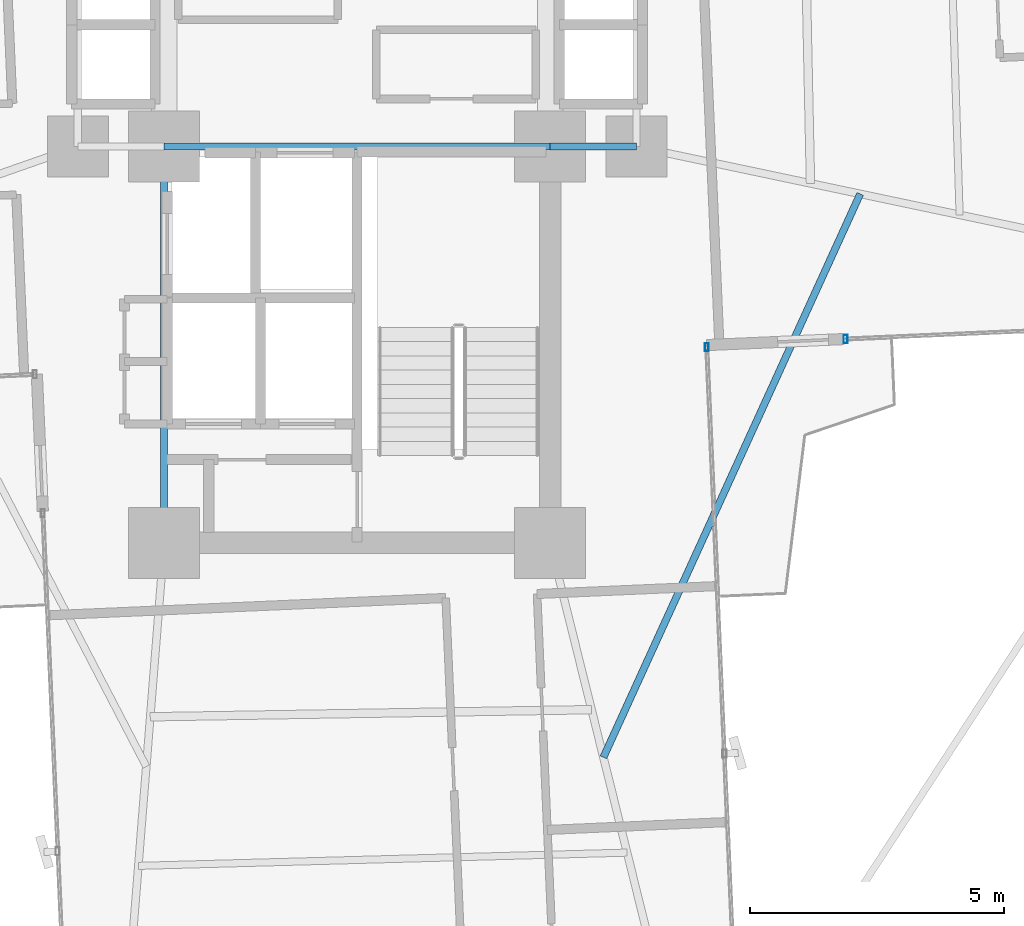
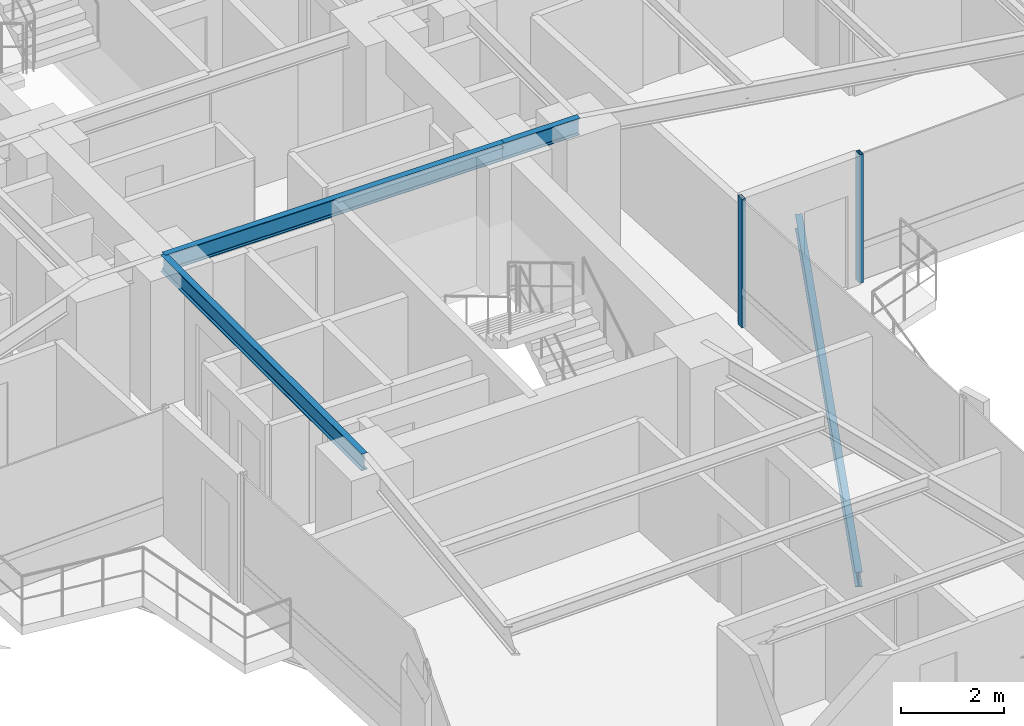
# One storey, part 11 of 27: 4 beams, 2 members, 2 elements without a shape of their own.
"""IFC4 building model written with IfcOpenShell, lengths in metres."""

from ifc_helpers import new_model, si_unit, direction, frame, origin, origin_2d, place, context, subcontext, project, spatial, hollow_rectangle, i_section, extrude, source, transform, mapped, material, material_profile, profile_set, type_object, element, aggregate, save


model = new_model("IFC4")

# Units and contexts
model_context = context("Model", 3, precision=1e-05, world=origin(), true_north=direction((0.0, 1.0)))
body_context = subcontext(model_context, "Body", "Model", "MODEL_VIEW")
ifc_project = project(units=[si_unit("LENGTHUNIT", "METRE"), si_unit("AREAUNIT", "SQUARE_METRE"), si_unit("VOLUMEUNIT", "CUBIC_METRE"), si_unit("PLANEANGLEUNIT", "RADIAN"), si_unit("MASSUNIT", "GRAM", prefix="KILO")], contexts=[model_context])

# Site, building, storey
site_placement = place(None, origin())
site = spatial("IfcSite", under=ifc_project, at=site_placement, CompositionType="ELEMENT")
building_placement = place(site_placement, origin())
building = spatial("IfcBuilding", under=site, at=building_placement, Name="Sahyath Konkavel Grand Hotel", CompositionType="ELEMENT")
storey_placement = place(building_placement, frame((0.0, 0.0, 103.60009765625)))
storey = spatial("IfcBuildingStorey", under=building, at=storey_placement, Name="L28", CompositionType="ELEMENT", Elevation=103.60009765625)

# Beams
ifc_material_1 = material(Name="Steel E350", Category="steel")
ifc_material_profile_1 = material_profile(ifc_material_1, i_section(OverallWidth=0.139892578125, OverallDepth=0.39990234375, WebThickness=0.0087890625, FlangeThickness=0.01611328125, FilletRadius=0.013916015625, at=origin_2d()), Name="ISMB 400")
ifc_profile_set_1 = profile_set([ifc_material_profile_1], Name="Steel E350")
beam_type_1 = type_object("IfcBeamType", Name="BM-ISMB400", PredefinedType="BEAM", material=ifc_profile_set_1)
shared_shape_1 = source(origin(), body_context, "Body", "SweptSolid", [
    extrude(i_section(OverallWidth=0.139892578125, OverallDepth=0.39990234375, WebThickness=0.0087890625, FlangeThickness=0.01611328125, FilletRadius=0.013916015625, at=origin_2d()), origin(), (0.0, 0.0, 1.0), 7.60009765625),
])
beam_1_placement = place(storey_placement, frame((-3.800048828125, -2.39990234375, 2.849853515625), z_axis=(1.0, 0.0, 0.0), x_axis=(0.0, 1.0, 0.0)))
element("IfcBeam", 1, at=beam_1_placement, inside=storey, type_object=beam_type_1, Name="str:bm:L28:SC-N", PredefinedType="BEAM", context=body_context, shape_type="MappedRepresentation", body=[
    mapped(shared_shape_1, transform((0.0, 0.0, 0.0), scale=1.0)),
])
shared_shape_2 = source(origin(), body_context, "Body", "SweptSolid", [
    extrude(i_section(OverallWidth=0.139892578125, OverallDepth=0.39990234375, WebThickness=0.0087890625, FlangeThickness=0.01611328125, FilletRadius=0.013916015625, at=origin_2d()), origin(), (0.0, 0.0, 1.0), 7.800048828125),
])
beam_2_placement = place(storey_placement, frame((-3.800048828125, -10.199951171875, 2.849853515625), z_axis=(0.0, 1.0, 0.0), x_axis=(-1.0, 0.0, 0.0)))
element("IfcBeam", 2, at=beam_2_placement, inside=storey, type_object=beam_type_1, Name="str:bm:L28:SC-W", PredefinedType="BEAM", context=body_context, shape_type="MappedRepresentation", body=[
    mapped(shared_shape_2, transform((0.0, 0.0, 0.0), scale=1.0)),
])
shared_shape_3 = source(origin(), body_context, "Body", "SweptSolid", [
    extrude(i_section(OverallWidth=0.139892578125, OverallDepth=0.39990234375, WebThickness=0.0087890625, FlangeThickness=0.01611328125, FilletRadius=0.013916015625, at=origin_2d()), origin(), (0.0, 0.0, 1.0), 1.699951171875),
])
beam_3_placement = place(storey_placement, frame((3.800048828125, -2.39990234375, 2.849853515625), z_axis=(1.0, 0.0, 0.0), x_axis=(0.0, 1.0, 0.0)))
element("IfcBeam", 3, at=beam_3_placement, inside=storey, type_object=beam_type_1, Name="str:bm:L28:HB-SE", PredefinedType="BEAM", context=body_context, shape_type="MappedRepresentation", body=[
    mapped(shared_shape_3, transform((0.0, 0.0, 0.0), scale=1.0)),
])
ifc_material_profile_2 = material_profile(ifc_material_1, i_section(OverallWidth=0.139892578125, OverallDepth=0.35009765625, WebThickness=0.008056640625, FlangeThickness=0.01416015625, FilletRadius=0.013916015625, at=origin_2d()), Name="ISMB 350")
ifc_profile_set_2 = profile_set([ifc_material_profile_2], Name="Steel E350")
beam_type_2 = type_object("IfcBeamType", Name="BM-BALC-CANT", PredefinedType="BEAM", material=ifc_profile_set_2)
shared_shape_4 = source(origin(), body_context, "Body", "SweptSolid", [
    extrude(i_section(OverallWidth=0.139892578125, OverallDepth=0.35009765625, WebThickness=0.008056640625, FlangeThickness=0.01416015625, FilletRadius=0.013916015625, at=origin_2d()), origin(), (0.0, 0.0, 1.0), 12.190673828125),
])
beam_4_placement = place(storey_placement, frame((4.8486328125, -14.422119140625, -0.4150390625), z_axis=(0.414712580086, 0.909952458054, 0.0), x_axis=(-0.909952458054, 0.414712580086, 0.0)))
element("IfcBeam", 4, at=beam_4_placement, inside=storey, type_object=beam_type_2, Name="L28 Balcony Cantilever Support Beam SE", PredefinedType="BEAM", context=body_context, shape_type="MappedRepresentation", body=[
    mapped(shared_shape_4, transform((0.0, 0.0, 0.0), scale=1.0)),
])

# Curtain wall, member
ifc_material_2 = material(Name="Anodised Bronze Aluminium & Low-E Glazing", Category="aluminium")
curtain_wall_type = type_object("IfcCurtainWallType", Name="CW-ZONE2", PredefinedType="NOTDEFINED", material=ifc_material_2)
curtain_wall_1_placement = place(storey_placement, origin())
curtain_wall_1 = element("IfcCurtainWall", 5, at=curtain_wall_1_placement, inside=storey, type_object=curtain_wall_type, Name="L28 Unitised Curtain Wall F0", PredefinedType="NOTDEFINED")
ifc_material_3 = material(Name="Anodised Bronze Aluminium", Category="aluminium")
ifc_material_profile_3 = material_profile(ifc_material_3, hollow_rectangle(XDim=0.080078125, YDim=0.159912109375, WallThickness=0.006103515625, at=origin_2d()), Name="RHS 160x80x6")
ifc_profile_set_3 = profile_set([ifc_material_profile_3], Name="Anodised Bronze Aluminium")
member_type = type_object("IfcMemberType", Name="CW-MUL-160", PredefinedType="MULLION", material=ifc_profile_set_3)
shared_shape_5 = source(origin(), body_context, "Body", "SweptSolid", [
    extrude(hollow_rectangle(XDim=0.080078125, YDim=0.159912109375, WallThickness=0.006103515625, at=origin_2d()), origin(), (0.0, 0.0, 1.0), 3.0498046875),
])
member_1_placement = place(storey_placement, frame((9.618896484375, -6.186279296875, 0.0), z_axis=(0.0, 0.0, 1.0), x_axis=(1.0, 0.0, 0.0)))
member_1 = element("IfcMember", 6, at=member_1_placement, type_object=member_type, Name="L28 Curtain Wall Mullion F0-0", PredefinedType="MULLION", context=body_context, shape_type="MappedRepresentation", body=[
    mapped(shared_shape_5, transform((0.0, 0.0, 0.0), scale=1.0)),
])
aggregate(curtain_wall_1, [member_1])

curtain_wall_2_placement = place(storey_placement, origin())
curtain_wall_2 = element("IfcCurtainWall", 7, at=curtain_wall_2_placement, inside=storey, type_object=curtain_wall_type, Name="L28 Unitised Curtain Wall F31", PredefinedType="NOTDEFINED")
member_2_placement = place(storey_placement, frame((6.88330078125, -6.345703125, 0.0), z_axis=(0.0, 0.0, 1.0), x_axis=(1.0, 0.0, 0.0)))
member_2 = element("IfcMember", 8, at=member_2_placement, type_object=member_type, Name="L28 Curtain Wall Mullion F31-2", PredefinedType="MULLION", context=body_context, shape_type="MappedRepresentation", body=[
    mapped(shared_shape_5, transform((0.0, 0.0, 0.0), scale=1.0)),
])
aggregate(curtain_wall_2, [member_2])

save(model, "model.ifc")
